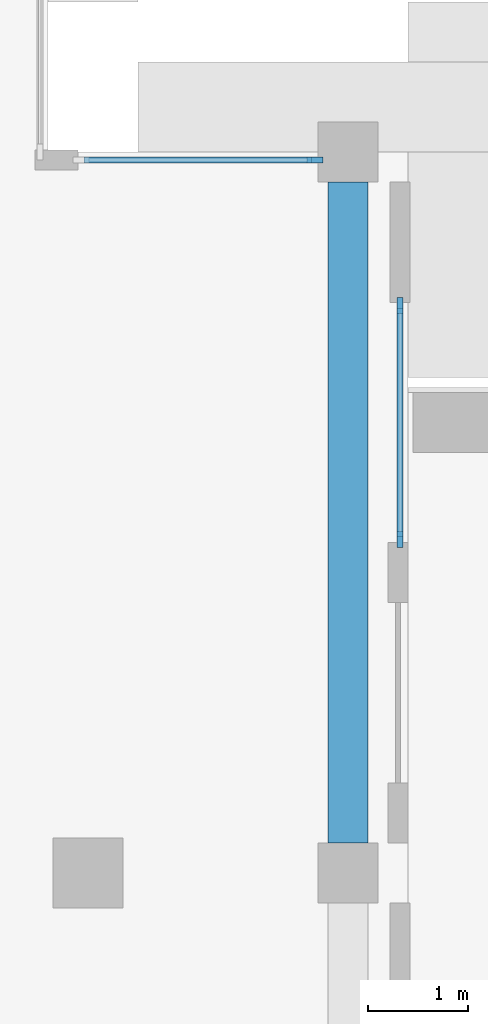
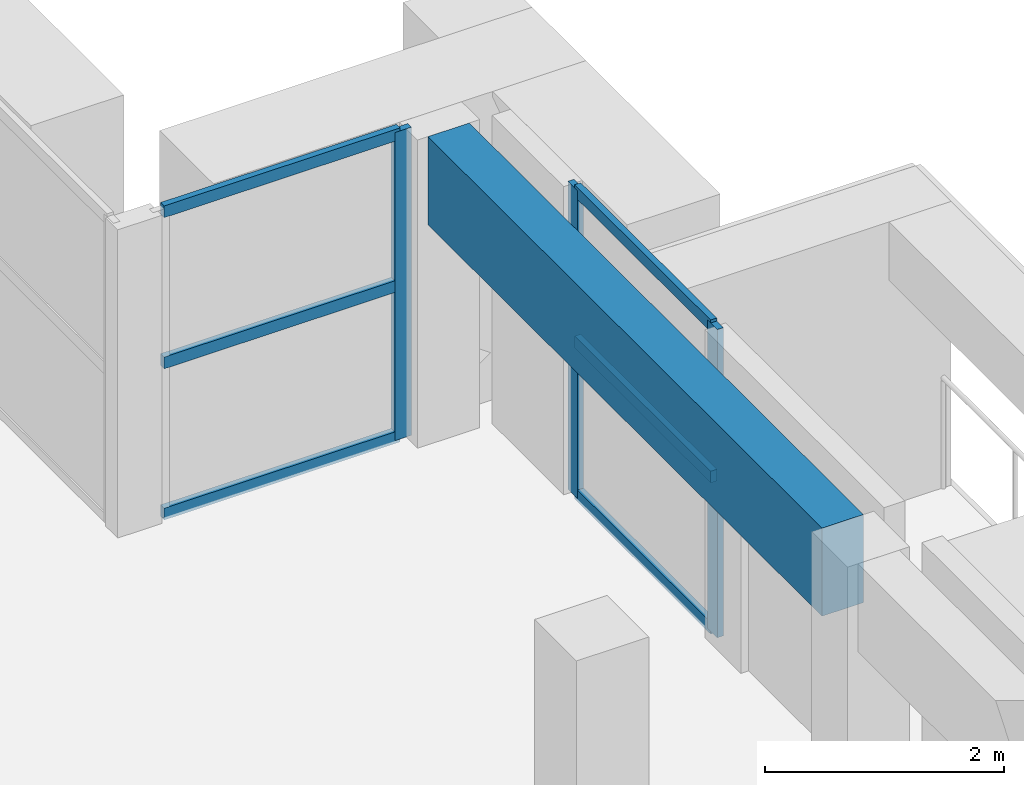
# One storey, part 9 of 22: 9 members, 1 beam, 2 elements without a shape of their own.
"""IFC4 building model written with IfcOpenShell, lengths in metres."""

from ifc_helpers import new_model, si_unit, direction, frame, origin, origin_2d, place, context, subcontext, project, spatial, rectangle, extrude, source, transform, mapped, material, layer, layer_set, material_profile, profile_set, type_object, element, aggregate, save


model = new_model("IFC4")

# Units and contexts
model_context = context("Model", 3, precision=1e-05, world=origin(), true_north=direction((0.0, 1.0)))
body_context = subcontext(model_context, "Body", "Model", "MODEL_VIEW")
ifc_project = project(units=[si_unit("LENGTHUNIT", "METRE"), si_unit("AREAUNIT", "SQUARE_METRE"), si_unit("VOLUMEUNIT", "CUBIC_METRE"), si_unit("PLANEANGLEUNIT", "RADIAN"), si_unit("MASSUNIT", "GRAM", prefix="KILO")], contexts=[model_context])

# Site, building, storey
site_placement = place(None, origin())
site = spatial("IfcSite", under=ifc_project, at=site_placement, CompositionType="ELEMENT")
building_placement = place(site_placement, origin())
building = spatial("IfcBuilding", under=site, at=building_placement, Name="Saffron Iwan Residences", CompositionType="ELEMENT")
storey_placement = place(building_placement, frame((0.0, 0.0, 271.0)))
storey = spatial("IfcBuildingStorey", under=building, at=storey_placement, Name="L73", CompositionType="ELEMENT", Elevation=271.0)

# Beam
ifc_material_1 = material(Name="Concrete C40/50", Category="concrete")
ifc_material_profile_1 = material_profile(ifc_material_1, rectangle(XDim=0.39990234375, YDim=0.89990234375, at=origin_2d()), Name="RC 400x900")
ifc_profile_set_1 = profile_set([ifc_material_profile_1], Name="Concrete C40/50")
beam_type = type_object("IfcBeamType", Name="SPANDREL BEAM RC 400x900 C40/50 TOP 3150", PredefinedType="SPANDREL", material=ifc_profile_set_1)
shared_shape_1 = source(origin(), body_context, "Body", "SweptSolid", [
    extrude(rectangle(XDim=0.39990234375, YDim=0.89990234375, at=origin_2d()), origin(), (0.0, 0.0, 1.0), 6.60009765625),
])
beam_placement = place(storey_placement, frame((81.800048828125, 76.5, 2.699951171875), z_axis=(0.0, -1.0, 0.0), x_axis=(1.0, 0.0, 0.0)))
element("IfcBeam", 1, at=beam_placement, inside=storey, type_object=beam_type, Name="Spandrel beam", PredefinedType="SPANDREL", context=body_context, shape_type="MappedRepresentation", body=[
    mapped(shared_shape_1, transform((0.0, 0.0, 0.0))),
])

# Curtain wall, members
ifc_material_2 = material(Name="Clear glass, laminated double glazed", Category="glass")
ifc_layer = layer(ifc_material_2, 0.14990234375)
ifc_layer_set = layer_set([ifc_layer], Name="Clear glass, laminated double glazed")
curtain_wall_type = type_object("IfcCurtainWallType", Name="CW-E SKY CLUB GLAZING", PredefinedType="NOTDEFINED", material=ifc_layer_set)
curtain_wall_1_placement = place(storey_placement, origin())
curtain_wall_1 = element("IfcCurtainWall", 2, at=curtain_wall_1_placement, inside=storey, type_object=curtain_wall_type, Name="Glazing L73 F2.3", PredefinedType="NOTDEFINED")
ifc_material_3 = material(Name="Aluminium 6063-T6", Category="aluminium")
ifc_material_profile_2 = material_profile(ifc_material_3, rectangle(XDim=0.06005859375, YDim=0.159912109375, at=origin_2d()), Name="CW-E MULLION 60 x 160")
ifc_profile_set_2 = profile_set([ifc_material_profile_2], Name="Aluminium 6063-T6")
member_type_1 = type_object("IfcMemberType", Name="CW-E MULLION 60 x 160", PredefinedType="MULLION", material=ifc_profile_set_2)
shared_shape_2 = source(origin(), body_context, "Body", "SweptSolid", [
    extrude(rectangle(XDim=0.06005859375, YDim=0.159912109375, at=origin_2d()), origin(), (0.0, 0.0, 1.0), 3.14990234375),
])
member_1_placement = place(storey_placement, frame((82.320068359375, 72.929931640625, 0.0), z_axis=(0.0, 0.0, 1.0), x_axis=(-1.0, 0.0, 0.0)))
member_1 = element("IfcMember", 3, at=member_1_placement, type_object=member_type_1, Name="CW-E mullion 1", PredefinedType="MULLION", context=body_context, shape_type="MappedRepresentation", body=[
    mapped(shared_shape_2, transform((0.0, 0.0, 0.0))),
])
member_2_placement = place(storey_placement, frame((82.320068359375, 75.27001953125, 0.0), z_axis=(0.0, 0.0, 1.0), x_axis=(-1.0, 0.0, 0.0)))
member_2 = element("IfcMember", 4, at=member_2_placement, type_object=member_type_1, Name="CW-E mullion 2", PredefinedType="MULLION", context=body_context, shape_type="MappedRepresentation", body=[
    mapped(shared_shape_2, transform((0.0, 0.0, 0.0))),
])

# Curtain wall, member
curtain_wall_2_placement = place(storey_placement, origin())
curtain_wall_2 = element("IfcCurtainWall", 5, at=curtain_wall_2_placement, inside=storey, type_object=curtain_wall_type, Name="Glazing L73 F3.0", PredefinedType="NOTDEFINED")
member_3_placement = place(storey_placement, frame((81.469970703125, 76.719970703125, 0.0), z_axis=(0.0, 0.0, 1.0), x_axis=(0.0, -1.0, 0.0)))
member_3 = element("IfcMember", 6, at=member_3_placement, type_object=member_type_1, Name="CW-E mullion 1", PredefinedType="MULLION", context=body_context, shape_type="MappedRepresentation", body=[
    mapped(shared_shape_2, transform((0.0, 0.0, 0.0))),
])

# Member
ifc_material_profile_3 = material_profile(ifc_material_3, rectangle(XDim=0.06005859375, YDim=0.1201171875, at=origin_2d()), Name="CW-E TRANSOM 60 x 120")
ifc_profile_set_3 = profile_set([ifc_material_profile_3], Name="Aluminium 6063-T6")
member_type_2 = type_object("IfcMemberType", Name="CW-E TRANSOM 60 x 120", PredefinedType="USERDEFINED", material=ifc_profile_set_3)
shared_shape_3 = source(origin(), body_context, "Body", "SweptSolid", [
    extrude(rectangle(XDim=0.06005859375, YDim=0.1201171875, at=origin_2d()), origin(), (0.0, 0.0, 1.0), 2.280029296875),
])
member_4_placement = place(storey_placement, frame((82.320068359375, 72.9599609375, 0.030029296875), z_axis=(0.0, 1.0, 0.0), x_axis=(-1.0, 0.0, 0.0)))
member_4 = element("IfcMember", 7, at=member_4_placement, type_object=member_type_2, Name="CW-E transom 1.1", ObjectType="TRANSOM", PredefinedType="USERDEFINED", context=body_context, shape_type="MappedRepresentation", body=[
    mapped(shared_shape_3, transform((0.0, 0.0, 0.0))),
])

member_5_placement = place(storey_placement, frame((82.320068359375, 72.9599609375, 1.574951171875), z_axis=(0.0, 1.0, 0.0), x_axis=(-1.0, 0.0, 0.0)))
member_5 = element("IfcMember", 8, at=member_5_placement, type_object=member_type_2, Name="CW-E transom 1.2", ObjectType="TRANSOM", PredefinedType="USERDEFINED", context=body_context, shape_type="MappedRepresentation", body=[
    mapped(shared_shape_3, transform((0.0, 0.0, 0.0))),
])

member_6_placement = place(storey_placement, frame((82.320068359375, 72.9599609375, 3.1201171875), z_axis=(0.0, 1.0, 0.0), x_axis=(-1.0, 0.0, 0.0)))
member_6 = element("IfcMember", 9, at=member_6_placement, type_object=member_type_2, Name="CW-E transom 1.3", ObjectType="TRANSOM", PredefinedType="USERDEFINED", context=body_context, shape_type="MappedRepresentation", body=[
    mapped(shared_shape_3, transform((0.0, 0.0, 0.0))),
])

aggregate(curtain_wall_1, [member_1, member_2, member_4, member_5, member_6])

member_7_placement = place(storey_placement, frame((81.43994140625, 76.719970703125, 0.030029296875), z_axis=(-1.0, 0.0, 0.0), x_axis=(0.0, -1.0, 0.0)))
member_7 = element("IfcMember", 10, at=member_7_placement, type_object=member_type_2, Name="CW-E transom 1.1", ObjectType="TRANSOM", PredefinedType="USERDEFINED", context=body_context, shape_type="MappedRepresentation", body=[
    mapped(shared_shape_3, transform((0.0, 0.0, 0.0))),
])

member_8_placement = place(storey_placement, frame((81.43994140625, 76.719970703125, 1.574951171875), z_axis=(-1.0, 0.0, 0.0), x_axis=(0.0, -1.0, 0.0)))
member_8 = element("IfcMember", 11, at=member_8_placement, type_object=member_type_2, Name="CW-E transom 1.2", ObjectType="TRANSOM", PredefinedType="USERDEFINED", context=body_context, shape_type="MappedRepresentation", body=[
    mapped(shared_shape_3, transform((0.0, 0.0, 0.0))),
])

member_9_placement = place(storey_placement, frame((81.43994140625, 76.719970703125, 3.1201171875), z_axis=(-1.0, 0.0, 0.0), x_axis=(0.0, -1.0, 0.0)))
member_9 = element("IfcMember", 12, at=member_9_placement, type_object=member_type_2, Name="CW-E transom 1.3", ObjectType="TRANSOM", PredefinedType="USERDEFINED", context=body_context, shape_type="MappedRepresentation", body=[
    mapped(shared_shape_3, transform((0.0, 0.0, 0.0))),
])

aggregate(curtain_wall_2, [member_3, member_7, member_8, member_9])

save(model, "model.ifc")
